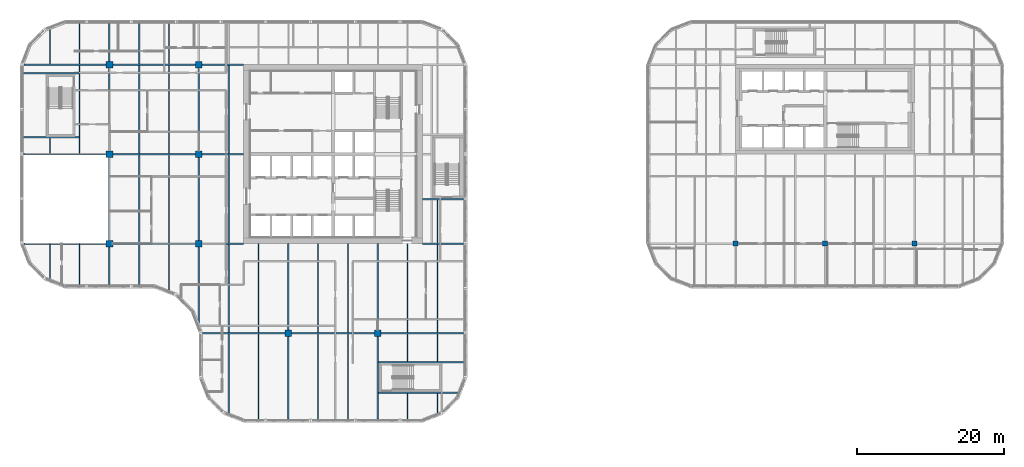
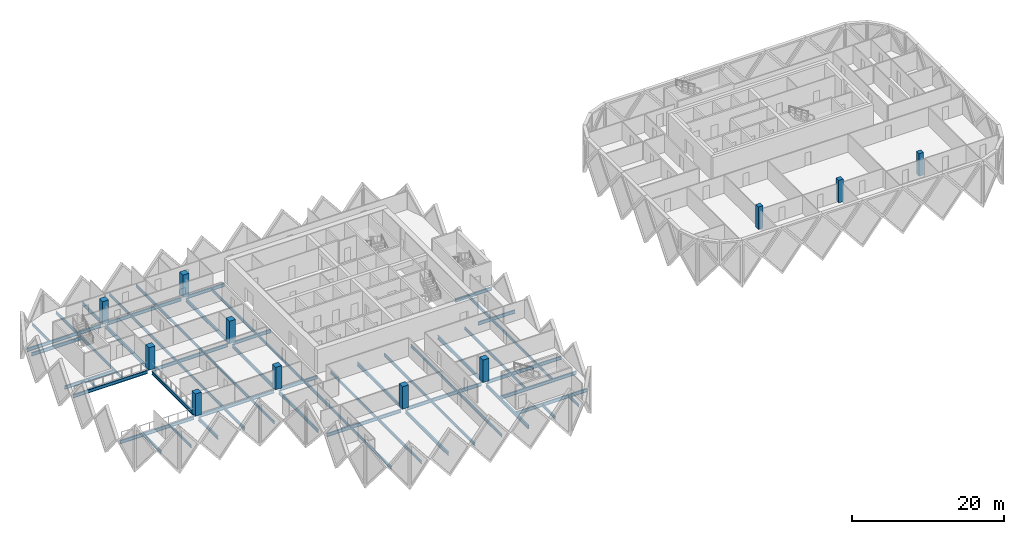
# One storey, part 1 of 21: 60 beams, 11 columns.
"""IFC4 building model written with IfcOpenShell, lengths in metres."""

from ifc_helpers import new_model, si_unit, direction, frame, origin, origin_2d, place, context, subcontext, project, spatial, rectangle, i_section, extrude, material, material_profile, profile_set, type_object, element, save


model = new_model("IFC4")

# Units and contexts
model_context = context("Model", 3, precision=1e-05, world=origin(), true_north=direction((0.0, 1.0)))
body_context = subcontext(model_context, "Body", "Model", "MODEL_VIEW")
ifc_project = project(units=[si_unit("LENGTHUNIT", "METRE"), si_unit("AREAUNIT", "SQUARE_METRE"), si_unit("VOLUMEUNIT", "CUBIC_METRE"), si_unit("PLANEANGLEUNIT", "RADIAN"), si_unit("MASSUNIT", "GRAM", prefix="KILO")], contexts=[model_context])

# Site, building, storey
site_placement = place(None, origin())
site = spatial("IfcSite", under=ifc_project, at=site_placement, CompositionType="ELEMENT")
building_placement = place(site_placement, origin())
building = spatial("IfcBuilding", under=site, at=building_placement, Name="Tessera Gate Towers", CompositionType="ELEMENT")
storey_placement = place(building_placement, frame((0.0, 0.0, 91.39990234375)))
storey = spatial("IfcBuildingStorey", under=building, at=storey_placement, Name="L22", CompositionType="ELEMENT", Elevation=91.39990234375)

# Columns
ifc_material_1 = material(Name="Concrete C70/85", Category="concrete")
ifc_material_profile_1 = material_profile(ifc_material_1, rectangle(XDim=0.699951171875, YDim=0.699951171875, at=origin_2d()), Name="RC 700x700")
ifc_profile_set_1 = profile_set([ifc_material_profile_1], Name="Concrete C70/85")
column_type_1 = type_object("IfcColumnType", Name="COLUMN RC 700x700", PredefinedType="COLUMN", material=ifc_profile_set_1)
for number, where, z_axis, x_axis, name in (
    (1, (97.60009765625, 24.39990234375, 0.0), (0.0, 0.0, 1.0), (1.0, 0.0, 0.0), "T2-COL-9C-L22"),
    (2, (109.800048828125, 24.39990234375, 0.0), (0.0, 0.0, 1.0), (1.0, 0.0, 0.0), "T2-COL-10C-L22"),
    (3, (122.0, 24.39990234375, 0.0), (0.0, 0.0, 1.0), (1.0, 0.0, 0.0), "T2-COL-11C-L22"),
):
    element("IfcColumn", number, at=place(storey_placement, frame(where, z_axis=z_axis, x_axis=x_axis)), inside=storey, type_object=column_type_1, Name=name, PredefinedType="COLUMN", context=body_context, shape_type="SweptSolid", body=[
        extrude(rectangle(XDim=0.699951171875, YDim=0.699951171875, at=origin_2d()), origin(), (0.0, 0.0, 1.0), 3.60009765625),
    ])
ifc_material_2 = material(Name="Concrete C70/85", Category="concrete")
ifc_material_profile_2 = material_profile(ifc_material_2, rectangle(XDim=0.89990234375, YDim=0.89990234375, at=origin_2d()), Name="RC 900x900")
ifc_profile_set_2 = profile_set([ifc_material_profile_2], Name="Concrete C70/85")
column_type_2 = type_object("IfcColumnType", Name="COLUMN RC 900x900", PredefinedType="COLUMN", material=ifc_profile_set_2)
for number, where, z_axis, x_axis, name in (
    (4, (12.199951171875, 24.39990234375, 0.0), (0.0, 0.0, 1.0), (1.0, 0.0, 0.0), "T1-COL-2C-L22"),
    (5, (12.199951171875, 36.60009765625, 0.0), (0.0, 0.0, 1.0), (1.0, 0.0, 0.0), "T1-COL-2D-L22"),
    (6, (12.199951171875, 48.800048828125, 0.0), (0.0, 0.0, 1.0), (1.0, 0.0, 0.0), "T1-COL-2E-L22"),
    (7, (24.39990234375, 24.39990234375, 0.0), (0.0, 0.0, 1.0), (1.0, 0.0, 0.0), "T1-COL-3C-L22"),
    (8, (24.39990234375, 36.60009765625, 0.0), (0.0, 0.0, 1.0), (1.0, 0.0, 0.0), "T1-COL-3D-L22"),
    (9, (24.39990234375, 48.800048828125, 0.0), (0.0, 0.0, 1.0), (1.0, 0.0, 0.0), "T1-COL-3E-L22"),
    (10, (36.60009765625, 12.199951171875, 0.0), (0.0, 0.0, 1.0), (1.0, 0.0, 0.0), "T1-COL-4B-L22"),
    (11, (48.800048828125, 12.199951171875, 0.0), (0.0, 0.0, 1.0), (1.0, 0.0, 0.0), "T1-COL-5B-L22"),
):
    element("IfcColumn", number, at=place(storey_placement, frame(where, z_axis=z_axis, x_axis=x_axis)), inside=storey, type_object=column_type_2, Name=name, PredefinedType="COLUMN", context=body_context, shape_type="SweptSolid", body=[
        extrude(rectangle(XDim=0.89990234375, YDim=0.89990234375, at=origin_2d()), origin(), (0.0, 0.0, 1.0), 3.60009765625),
    ])

# Beams
ifc_material_3 = material(Name="Steel 350W", Category="steel")
ifc_material_profile_3 = material_profile(ifc_material_3, i_section(OverallWidth=0.208984375, OverallDepth=0.532958984375, WebThickness=0.01025390625, FlangeThickness=0.015625, at=origin_2d()), Name="W530x92")
ifc_profile_set_3 = profile_set([ifc_material_profile_3], Name="Steel 350W")
beam_type_1 = type_object("IfcBeamType", Name="FLOOR GIRDER W530x92", PredefinedType="BEAM", material=ifc_profile_set_3)
beam_1_placement = place(storey_placement, frame((24.89892578125, 12.199951171875, -0.46630859375), z_axis=(1.0, 0.0, 0.0), x_axis=(0.0, 1.0, 0.0)))
element("IfcBeam", 12, at=beam_1_placement, inside=storey, type_object=beam_type_1, Name="T1-GD-L22-2939", PredefinedType="BEAM", context=body_context, shape_type="SweptSolid", body=[
    extrude(i_section(OverallWidth=0.208984375, OverallDepth=0.532958984375, WebThickness=0.01025390625, FlangeThickness=0.015625, at=origin_2d()), origin(), (0.0, 0.0, 1.0), 11.2509765625),
])
beam_2_placement = place(storey_placement, frame((37.050048828125, 12.199951171875, -0.46630859375), z_axis=(1.0, 0.0, 0.0), x_axis=(0.0, 1.0, 0.0)))
element("IfcBeam", 13, at=beam_2_placement, inside=storey, type_object=beam_type_1, Name="T1-GD-L22-2940", PredefinedType="BEAM", context=body_context, shape_type="SweptSolid", body=[
    extrude(i_section(OverallWidth=0.208984375, OverallDepth=0.532958984375, WebThickness=0.01025390625, FlangeThickness=0.015625, at=origin_2d()), origin(), (0.0, 0.0, 1.0), 11.300048828125),
])
beam_3_placement = place(storey_placement, frame((49.25, 12.199951171875, -0.46630859375), z_axis=(1.0, 0.0, 0.0), x_axis=(0.0, 1.0, 0.0)))
element("IfcBeam", 14, at=beam_3_placement, inside=storey, type_object=beam_type_1, Name="T1-GD-L22-2941", PredefinedType="BEAM", context=body_context, shape_type="SweptSolid", body=[
    extrude(i_section(OverallWidth=0.208984375, OverallDepth=0.532958984375, WebThickness=0.01025390625, FlangeThickness=0.015625, at=origin_2d()), origin(), (0.0, 0.0, 1.0), 11.2509765625),
])
beam_4_placement = place(storey_placement, frame((0.534912109375, 24.39990234375, -0.46630859375), z_axis=(1.0, 0.0, 0.0), x_axis=(0.0, 1.0, 0.0)))
element("IfcBeam", 15, at=beam_4_placement, inside=storey, type_object=beam_type_1, Name="T1-GD-L22-2942", PredefinedType="BEAM", context=body_context, shape_type="SweptSolid", body=[
    extrude(i_section(OverallWidth=0.208984375, OverallDepth=0.532958984375, WebThickness=0.01025390625, FlangeThickness=0.015625, at=origin_2d()), origin(), (0.0, 0.0, 1.0), 11.215087890625),
])
beam_5_placement = place(storey_placement, frame((12.64990234375, 24.39990234375, -0.46630859375), z_axis=(1.0, 0.0, 0.0), x_axis=(0.0, 1.0, 0.0)))
element("IfcBeam", 16, at=beam_5_placement, inside=storey, type_object=beam_type_1, Name="T1-GD-L22-2943", PredefinedType="BEAM", context=body_context, shape_type="SweptSolid", body=[
    extrude(i_section(OverallWidth=0.208984375, OverallDepth=0.532958984375, WebThickness=0.01025390625, FlangeThickness=0.015625, at=origin_2d()), origin(), (0.0, 0.0, 1.0), 11.300048828125),
])
beam_6_placement = place(storey_placement, frame((24.85009765625, 24.39990234375, -0.46630859375), z_axis=(1.0, 0.0, 0.0), x_axis=(0.0, 1.0, 0.0)))
element("IfcBeam", 17, at=beam_6_placement, inside=storey, type_object=beam_type_1, Name="T1-GD-L22-2944", PredefinedType="BEAM", context=body_context, shape_type="SweptSolid", body=[
    extrude(i_section(OverallWidth=0.208984375, OverallDepth=0.532958984375, WebThickness=0.01025390625, FlangeThickness=0.015625, at=origin_2d()), origin(), (0.0, 0.0, 1.0), 5.64892578125),
])
beam_7_placement = place(storey_placement, frame((54.90087890625, 24.39990234375, -0.46630859375), z_axis=(1.0, 0.0, 0.0), x_axis=(0.0, 1.0, 0.0)))
element("IfcBeam", 18, at=beam_7_placement, inside=storey, type_object=beam_type_1, Name="T1-GD-L22-2945", PredefinedType="BEAM", context=body_context, shape_type="SweptSolid", body=[
    extrude(i_section(OverallWidth=0.208984375, OverallDepth=0.532958984375, WebThickness=0.01025390625, FlangeThickness=0.015625, at=origin_2d()), origin(), (0.0, 0.0, 1.0), 5.60009765625),
])
beam_8_placement = place(storey_placement, frame((0.4990234375, 36.60009765625, -0.46630859375), z_axis=(1.0, 0.0, 0.0), x_axis=(0.0, 1.0, 0.0)))
element("IfcBeam", 19, at=beam_8_placement, inside=storey, type_object=beam_type_1, Name="T1-GD-L22-2946", PredefinedType="BEAM", context=body_context, shape_type="SweptSolid", body=[
    extrude(i_section(OverallWidth=0.208984375, OverallDepth=0.532958984375, WebThickness=0.01025390625, FlangeThickness=0.015625, at=origin_2d()), origin(), (0.0, 0.0, 1.0), 11.2509765625),
])
beam_9_placement = place(storey_placement, frame((12.64990234375, 36.60009765625, -0.46630859375), z_axis=(1.0, 0.0, 0.0), x_axis=(0.0, 1.0, 0.0)))
element("IfcBeam", 20, at=beam_9_placement, inside=storey, type_object=beam_type_1, Name="T1-GD-L22-2947", PredefinedType="BEAM", context=body_context, shape_type="SweptSolid", body=[
    extrude(i_section(OverallWidth=0.208984375, OverallDepth=0.532958984375, WebThickness=0.01025390625, FlangeThickness=0.015625, at=origin_2d()), origin(), (0.0, 0.0, 1.0), 11.300048828125),
])
beam_10_placement = place(storey_placement, frame((24.85009765625, 36.60009765625, -0.46630859375), z_axis=(1.0, 0.0, 0.0), x_axis=(0.0, 1.0, 0.0)))
element("IfcBeam", 21, at=beam_10_placement, inside=storey, type_object=beam_type_1, Name="T1-GD-L22-2948", PredefinedType="BEAM", context=body_context, shape_type="SweptSolid", body=[
    extrude(i_section(OverallWidth=0.208984375, OverallDepth=0.532958984375, WebThickness=0.01025390625, FlangeThickness=0.015625, at=origin_2d()), origin(), (0.0, 0.0, 1.0), 5.65087890625),
])
beam_11_placement = place(storey_placement, frame((0.534912109375, 48.800048828125, -0.46630859375), z_axis=(1.0, 0.0, 0.0), x_axis=(0.0, 1.0, 0.0)))
element("IfcBeam", 22, at=beam_11_placement, inside=storey, type_object=beam_type_1, Name="T1-GD-L22-2950", PredefinedType="BEAM", context=body_context, shape_type="SweptSolid", body=[
    extrude(i_section(OverallWidth=0.208984375, OverallDepth=0.532958984375, WebThickness=0.01025390625, FlangeThickness=0.015625, at=origin_2d()), origin(), (0.0, 0.0, 1.0), 11.215087890625),
])
beam_12_placement = place(storey_placement, frame((12.64990234375, 48.800048828125, -0.46630859375), z_axis=(1.0, 0.0, 0.0), x_axis=(0.0, 1.0, 0.0)))
element("IfcBeam", 23, at=beam_12_placement, inside=storey, type_object=beam_type_1, Name="T1-GD-L22-2951", PredefinedType="BEAM", context=body_context, shape_type="SweptSolid", body=[
    extrude(i_section(OverallWidth=0.208984375, OverallDepth=0.532958984375, WebThickness=0.01025390625, FlangeThickness=0.015625, at=origin_2d()), origin(), (0.0, 0.0, 1.0), 11.300048828125),
])
beam_13_placement = place(storey_placement, frame((24.85009765625, 48.800048828125, -0.46630859375), z_axis=(1.0, 0.0, 0.0), x_axis=(0.0, 1.0, 0.0)))
element("IfcBeam", 24, at=beam_13_placement, inside=storey, type_object=beam_type_1, Name="T1-GD-L22-2952", PredefinedType="BEAM", context=body_context, shape_type="SweptSolid", body=[
    extrude(i_section(OverallWidth=0.208984375, OverallDepth=0.532958984375, WebThickness=0.01025390625, FlangeThickness=0.015625, at=origin_2d()), origin(), (0.0, 0.0, 1.0), 5.64892578125),
])
beam_14_placement = place(storey_placement, frame((12.199951171875, 18.799072265625, -0.46630859375), z_axis=(0.0, 1.0, 0.0), x_axis=(-1.0, 0.0, 0.0)))
element("IfcBeam", 25, at=beam_14_placement, inside=storey, type_object=beam_type_1, Name="T1-GD-L22-2954", PredefinedType="BEAM", context=body_context, shape_type="SweptSolid", body=[
    extrude(i_section(OverallWidth=0.208984375, OverallDepth=0.532958984375, WebThickness=0.01025390625, FlangeThickness=0.015625, at=origin_2d()), origin(), (0.0, 0.0, 1.0), 5.15087890625),
])
beam_15_placement = place(storey_placement, frame((12.199951171875, 24.85009765625, -0.46630859375), z_axis=(0.0, 1.0, 0.0), x_axis=(-1.0, 0.0, 0.0)))
element("IfcBeam", 26, at=beam_15_placement, inside=storey, type_object=beam_type_1, Name="T1-GD-L22-2955", PredefinedType="BEAM", context=body_context, shape_type="SweptSolid", body=[
    extrude(i_section(OverallWidth=0.208984375, OverallDepth=0.532958984375, WebThickness=0.01025390625, FlangeThickness=0.015625, at=origin_2d()), origin(), (0.0, 0.0, 1.0), 11.2998046875),
])
beam_16_placement = place(storey_placement, frame((12.199951171875, 37.050048828125, -0.46630859375), z_axis=(0.0, 1.0, 0.0), x_axis=(-1.0, 0.0, 0.0)))
element("IfcBeam", 27, at=beam_16_placement, inside=storey, type_object=beam_type_1, Name="T1-GD-L22-2956", PredefinedType="BEAM", context=body_context, shape_type="SweptSolid", body=[
    extrude(i_section(OverallWidth=0.208984375, OverallDepth=0.532958984375, WebThickness=0.01025390625, FlangeThickness=0.015625, at=origin_2d()), origin(), (0.0, 0.0, 1.0), 11.300048828125),
])
beam_17_placement = place(storey_placement, frame((12.199951171875, 49.25, -0.46630859375), z_axis=(0.0, 1.0, 0.0), x_axis=(-1.0, 0.0, 0.0)))
element("IfcBeam", 28, at=beam_17_placement, inside=storey, type_object=beam_type_1, Name="T1-GD-L22-2957", PredefinedType="BEAM", context=body_context, shape_type="SweptSolid", body=[
    extrude(i_section(OverallWidth=0.208984375, OverallDepth=0.532958984375, WebThickness=0.01025390625, FlangeThickness=0.015625, at=origin_2d()), origin(), (0.0, 0.0, 1.0), 5.15087890625),
])
beam_18_placement = place(storey_placement, frame((24.39990234375, 13.58642578125, -0.46630859375), z_axis=(0.0, 1.0, 0.0), x_axis=(-1.0, 0.0, 0.0)))
element("IfcBeam", 29, at=beam_18_placement, inside=storey, type_object=beam_type_1, Name="T1-GD-L22-2958", PredefinedType="BEAM", context=body_context, shape_type="SweptSolid", body=[
    extrude(i_section(OverallWidth=0.208984375, OverallDepth=0.532958984375, WebThickness=0.01025390625, FlangeThickness=0.015625, at=origin_2d()), origin(), (0.0, 0.0, 1.0), 10.363525390625),
])
beam_19_placement = place(storey_placement, frame((24.39990234375, 24.85009765625, -0.46630859375), z_axis=(0.0, 1.0, 0.0), x_axis=(-1.0, 0.0, 0.0)))
element("IfcBeam", 30, at=beam_19_placement, inside=storey, type_object=beam_type_1, Name="T1-GD-L22-2959", PredefinedType="BEAM", context=body_context, shape_type="SweptSolid", body=[
    extrude(i_section(OverallWidth=0.208984375, OverallDepth=0.532958984375, WebThickness=0.01025390625, FlangeThickness=0.015625, at=origin_2d()), origin(), (0.0, 0.0, 1.0), 11.2998046875),
])
beam_20_placement = place(storey_placement, frame((24.39990234375, 37.050048828125, -0.46630859375), z_axis=(0.0, 1.0, 0.0), x_axis=(-1.0, 0.0, 0.0)))
element("IfcBeam", 31, at=beam_20_placement, inside=storey, type_object=beam_type_1, Name="T1-GD-L22-2960", PredefinedType="BEAM", context=body_context, shape_type="SweptSolid", body=[
    extrude(i_section(OverallWidth=0.208984375, OverallDepth=0.532958984375, WebThickness=0.01025390625, FlangeThickness=0.015625, at=origin_2d()), origin(), (0.0, 0.0, 1.0), 11.300048828125),
])
beam_21_placement = place(storey_placement, frame((36.60009765625, 0.4990234375, -0.46630859375), z_axis=(0.0, 1.0, 0.0), x_axis=(-1.0, 0.0, 0.0)))
element("IfcBeam", 32, at=beam_21_placement, inside=storey, type_object=beam_type_1, Name="T1-GD-L22-2962", PredefinedType="BEAM", context=body_context, shape_type="SweptSolid", body=[
    extrude(i_section(OverallWidth=0.208984375, OverallDepth=0.532958984375, WebThickness=0.01025390625, FlangeThickness=0.015625, at=origin_2d()), origin(), (0.0, 0.0, 1.0), 11.2509765625),
])
beam_22_placement = place(storey_placement, frame((36.60009765625, 12.64990234375, -0.46630859375), z_axis=(0.0, 1.0, 0.0), x_axis=(-1.0, 0.0, 0.0)))
element("IfcBeam", 33, at=beam_22_placement, inside=storey, type_object=beam_type_1, Name="T1-GD-L22-2963", PredefinedType="BEAM", context=body_context, shape_type="SweptSolid", body=[
    extrude(i_section(OverallWidth=0.208984375, OverallDepth=0.532958984375, WebThickness=0.01025390625, FlangeThickness=0.015625, at=origin_2d()), origin(), (0.0, 0.0, 1.0), 11.75),
])
beam_23_placement = place(storey_placement, frame((48.800048828125, 0.4990234375, -0.46630859375), z_axis=(0.0, 1.0, 0.0), x_axis=(-1.0, 0.0, 0.0)))
element("IfcBeam", 34, at=beam_23_placement, inside=storey, type_object=beam_type_1, Name="T1-GD-L22-2964", PredefinedType="BEAM", context=body_context, shape_type="SweptSolid", body=[
    extrude(i_section(OverallWidth=0.208984375, OverallDepth=0.532958984375, WebThickness=0.01025390625, FlangeThickness=0.015625, at=origin_2d()), origin(), (0.0, 0.0, 1.0), 11.2509765625),
])
beam_24_placement = place(storey_placement, frame((48.800048828125, 12.64990234375, -0.46630859375), z_axis=(0.0, 1.0, 0.0), x_axis=(-1.0, 0.0, 0.0)))
element("IfcBeam", 35, at=beam_24_placement, inside=storey, type_object=beam_type_1, Name="T1-GD-L22-2965", PredefinedType="BEAM", context=body_context, shape_type="SweptSolid", body=[
    extrude(i_section(OverallWidth=0.208984375, OverallDepth=0.532958984375, WebThickness=0.01025390625, FlangeThickness=0.015625, at=origin_2d()), origin(), (0.0, 0.0, 1.0), 11.75),
])
for number, where, z_axis, x_axis, name in (
    (36, (0.4990234375, 38.8798828125, -0.46630859375), (1.0, 0.0, 0.0), (0.0, 1.0, 0.0), "T1-GD-L22-2966"),
    (37, (0.4990234375, 47.6201171875, -0.46630859375), (1.0, 0.0, 0.0), (0.0, 1.0, 0.0), "T1-GD-L22-2967"),
):
    element("IfcBeam", number, at=place(storey_placement, frame(where, z_axis=z_axis, x_axis=x_axis)), inside=storey, type_object=beam_type_1, Name=name, PredefinedType="BEAM", context=body_context, shape_type="SweptSolid", body=[
        extrude(i_section(OverallWidth=0.208984375, OverallDepth=0.532958984375, WebThickness=0.01025390625, FlangeThickness=0.015625, at=origin_2d()), origin(), (0.0, 0.0, 1.0), 7.557861328125),
    ])
beam_25_placement = place(storey_placement, frame((48.87646484375, 4.080078125, -0.46630859375), z_axis=(1.0, 0.0, 0.0), x_axis=(0.0, 1.0, 0.0)))
element("IfcBeam", 38, at=beam_25_placement, inside=storey, type_object=beam_type_1, Name="T1-GD-L22-2968", PredefinedType="BEAM", context=body_context, shape_type="SweptSolid", body=[
    extrude(i_section(OverallWidth=0.208984375, OverallDepth=0.532958984375, WebThickness=0.01025390625, FlangeThickness=0.015625, at=origin_2d()), origin(), (0.0, 0.0, 1.0), 10.809326171875),
])
beam_26_placement = place(storey_placement, frame((48.87646484375, 8.219970703125, -0.46630859375), z_axis=(1.0, 0.0, 0.0), x_axis=(0.0, 1.0, 0.0)))
element("IfcBeam", 39, at=beam_26_placement, inside=storey, type_object=beam_type_1, Name="T1-GD-L22-2969", PredefinedType="BEAM", context=body_context, shape_type="SweptSolid", body=[
    extrude(i_section(OverallWidth=0.208984375, OverallDepth=0.532958984375, WebThickness=0.01025390625, FlangeThickness=0.015625, at=origin_2d()), origin(), (0.0, 0.0, 1.0), 11.62451171875),
])
beam_27_placement = place(storey_placement, frame((54.89892578125, 30.47998046875, -0.46630859375), z_axis=(1.0, 0.0, 0.0), x_axis=(0.0, 1.0, 0.0)))
element("IfcBeam", 40, at=beam_27_placement, inside=storey, type_object=beam_type_1, Name="T1-GD-L22-2970", PredefinedType="BEAM", context=body_context, shape_type="SweptSolid", body=[
    extrude(i_section(OverallWidth=0.208984375, OverallDepth=0.532958984375, WebThickness=0.01025390625, FlangeThickness=0.015625, at=origin_2d()), origin(), (0.0, 0.0, 1.0), 5.60205078125),
])
ifc_material_4 = material(Name="Steel 350W", Category="steel")
ifc_material_profile_4 = material_profile(ifc_material_4, i_section(OverallWidth=0.153076171875, OverallDepth=0.455078125, WebThickness=0.008056640625, FlangeThickness=0.01318359375, at=origin_2d()), Name="W460x60")
ifc_profile_set_4 = profile_set([ifc_material_profile_4], Name="Steel 350W")
beam_type_2 = type_object("IfcBeamType", Name="FLOOR SECONDARY W460x60", PredefinedType="BEAM", material=ifc_profile_set_4)
beam_28_placement = place(storey_placement, frame((4.066650390625, 19.620361328125, -0.427490234375), z_axis=(0.0, 1.0, 0.0), x_axis=(-1.0, 0.0, 0.0)))
element("IfcBeam", 41, at=beam_28_placement, inside=storey, type_object=beam_type_2, Name="T1-BM-L22-2973", PredefinedType="BEAM", context=body_context, shape_type="SweptSolid", body=[
    extrude(i_section(OverallWidth=0.153076171875, OverallDepth=0.455078125, WebThickness=0.008056640625, FlangeThickness=0.01318359375, at=origin_2d()), origin(), (0.0, 0.0, 1.0), 4.779541015625),
])
beam_29_placement = place(storey_placement, frame((4.066650390625, 36.70458984375, -0.427490234375), z_axis=(0.0, 1.0, 0.0), x_axis=(-1.0, 0.0, 0.0)))
element("IfcBeam", 42, at=beam_29_placement, inside=storey, type_object=beam_type_2, Name="T1-BM-L22-2974", PredefinedType="BEAM", context=body_context, shape_type="SweptSolid", body=[
    extrude(i_section(OverallWidth=0.153076171875, OverallDepth=0.455078125, WebThickness=0.008056640625, FlangeThickness=0.01318359375, at=origin_2d()), origin(), (0.0, 0.0, 1.0), 2.07080078125),
])
beam_30_placement = place(storey_placement, frame((4.066650390625, 48.904541015625, -0.427490234375), z_axis=(0.0, 1.0, 0.0), x_axis=(-1.0, 0.0, 0.0)))
element("IfcBeam", 43, at=beam_30_placement, inside=storey, type_object=beam_type_2, Name="T1-BM-L22-2975", PredefinedType="BEAM", context=body_context, shape_type="SweptSolid", body=[
    extrude(i_section(OverallWidth=0.153076171875, OverallDepth=0.455078125, WebThickness=0.008056640625, FlangeThickness=0.01318359375, at=origin_2d()), origin(), (0.0, 0.0, 1.0), 4.675048828125),
])
beam_31_placement = place(storey_placement, frame((8.13330078125, 18.800048828125, -0.427490234375), z_axis=(0.0, 1.0, 0.0), x_axis=(-1.0, 0.0, 0.0)))
element("IfcBeam", 44, at=beam_31_placement, inside=storey, type_object=beam_type_2, Name="T1-BM-L22-2976", PredefinedType="BEAM", context=body_context, shape_type="SweptSolid", body=[
    extrude(i_section(OverallWidth=0.153076171875, OverallDepth=0.455078125, WebThickness=0.008056640625, FlangeThickness=0.01318359375, at=origin_2d()), origin(), (0.0, 0.0, 1.0), 5.599853515625),
])
beam_32_placement = place(storey_placement, frame((8.13330078125, 36.70458984375, -0.427490234375), z_axis=(0.0, 1.0, 0.0), x_axis=(-1.0, 0.0, 0.0)))
element("IfcBeam", 45, at=beam_32_placement, inside=storey, type_object=beam_type_2, Name="T1-BM-L22-2977", PredefinedType="BEAM", context=body_context, shape_type="SweptSolid", body=[
    extrude(i_section(OverallWidth=0.153076171875, OverallDepth=0.455078125, WebThickness=0.008056640625, FlangeThickness=0.01318359375, at=origin_2d()), origin(), (0.0, 0.0, 1.0), 11.990966796875),
])
for number, where, z_axis, x_axis, name in (
    (46, (8.13330078125, 48.904541015625, -0.427490234375), (0.0, 1.0, 0.0), (-1.0, 0.0, 0.0), "T1-BM-L22-2978"),
    (47, (16.2666015625, 18.800048828125, -0.427490234375), (0.0, 1.0, 0.0), (-1.0, 0.0, 0.0), "T1-BM-L22-2979"),
):
    element("IfcBeam", number, at=place(storey_placement, frame(where, z_axis=z_axis, x_axis=x_axis)), inside=storey, type_object=beam_type_2, Name=name, PredefinedType="BEAM", context=body_context, shape_type="SweptSolid", body=[
        extrude(i_section(OverallWidth=0.153076171875, OverallDepth=0.455078125, WebThickness=0.008056640625, FlangeThickness=0.01318359375, at=origin_2d()), origin(), (0.0, 0.0, 1.0), 5.495361328125),
    ])
beam_33_placement = place(storey_placement, frame((16.2666015625, 24.50439453125, -0.427490234375), z_axis=(0.0, 1.0, 0.0), x_axis=(-1.0, 0.0, 0.0)))
element("IfcBeam", 48, at=beam_33_placement, inside=storey, type_object=beam_type_2, Name="T1-BM-L22-2980", PredefinedType="BEAM", context=body_context, shape_type="SweptSolid", body=[
    extrude(i_section(OverallWidth=0.153076171875, OverallDepth=0.455078125, WebThickness=0.008056640625, FlangeThickness=0.01318359375, at=origin_2d()), origin(), (0.0, 0.0, 1.0), 11.9912109375),
])
beam_34_placement = place(storey_placement, frame((16.2666015625, 36.70458984375, -0.427490234375), z_axis=(0.0, 1.0, 0.0), x_axis=(-1.0, 0.0, 0.0)))
element("IfcBeam", 49, at=beam_34_placement, inside=storey, type_object=beam_type_2, Name="T1-BM-L22-2981", PredefinedType="BEAM", context=body_context, shape_type="SweptSolid", body=[
    extrude(i_section(OverallWidth=0.153076171875, OverallDepth=0.455078125, WebThickness=0.008056640625, FlangeThickness=0.01318359375, at=origin_2d()), origin(), (0.0, 0.0, 1.0), 11.990966796875),
])
beam_35_placement = place(storey_placement, frame((16.2666015625, 48.904541015625, -0.427490234375), z_axis=(0.0, 1.0, 0.0), x_axis=(-1.0, 0.0, 0.0)))
element("IfcBeam", 50, at=beam_35_placement, inside=storey, type_object=beam_type_2, Name="T1-BM-L22-2982", PredefinedType="BEAM", context=body_context, shape_type="SweptSolid", body=[
    extrude(i_section(OverallWidth=0.153076171875, OverallDepth=0.455078125, WebThickness=0.008056640625, FlangeThickness=0.01318359375, at=origin_2d()), origin(), (0.0, 0.0, 1.0), 5.495361328125),
])
beam_36_placement = place(storey_placement, frame((20.333251953125, 18.051513671875, -0.427490234375), z_axis=(0.0, 1.0, 0.0), x_axis=(-1.0, 0.0, 0.0)))
element("IfcBeam", 51, at=beam_36_placement, inside=storey, type_object=beam_type_2, Name="T1-BM-L22-2983", PredefinedType="BEAM", context=body_context, shape_type="SweptSolid", body=[
    extrude(i_section(OverallWidth=0.153076171875, OverallDepth=0.455078125, WebThickness=0.008056640625, FlangeThickness=0.01318359375, at=origin_2d()), origin(), (0.0, 0.0, 1.0), 6.243896484375),
])
beam_37_placement = place(storey_placement, frame((20.333251953125, 24.50439453125, -0.427490234375), z_axis=(0.0, 1.0, 0.0), x_axis=(-1.0, 0.0, 0.0)))
element("IfcBeam", 52, at=beam_37_placement, inside=storey, type_object=beam_type_2, Name="T1-BM-L22-2984", PredefinedType="BEAM", context=body_context, shape_type="SweptSolid", body=[
    extrude(i_section(OverallWidth=0.153076171875, OverallDepth=0.455078125, WebThickness=0.008056640625, FlangeThickness=0.01318359375, at=origin_2d()), origin(), (0.0, 0.0, 1.0), 11.9912109375),
])
beam_38_placement = place(storey_placement, frame((20.333251953125, 36.70458984375, -0.427490234375), z_axis=(0.0, 1.0, 0.0), x_axis=(-1.0, 0.0, 0.0)))
element("IfcBeam", 53, at=beam_38_placement, inside=storey, type_object=beam_type_2, Name="T1-BM-L22-2985", PredefinedType="BEAM", context=body_context, shape_type="SweptSolid", body=[
    extrude(i_section(OverallWidth=0.153076171875, OverallDepth=0.455078125, WebThickness=0.008056640625, FlangeThickness=0.01318359375, at=origin_2d()), origin(), (0.0, 0.0, 1.0), 11.990966796875),
])
beam_39_placement = place(storey_placement, frame((20.333251953125, 48.904541015625, -0.427490234375), z_axis=(0.0, 1.0, 0.0), x_axis=(-1.0, 0.0, 0.0)))
element("IfcBeam", 54, at=beam_39_placement, inside=storey, type_object=beam_type_2, Name="T1-BM-L22-2986", PredefinedType="BEAM", context=body_context, shape_type="SweptSolid", body=[
    extrude(i_section(OverallWidth=0.153076171875, OverallDepth=0.455078125, WebThickness=0.008056640625, FlangeThickness=0.01318359375, at=origin_2d()), origin(), (0.0, 0.0, 1.0), 5.495361328125),
])
beam_40_placement = place(storey_placement, frame((28.466796875, 1.3203125, -0.427490234375), z_axis=(0.0, 1.0, 0.0), x_axis=(-1.0, 0.0, 0.0)))
element("IfcBeam", 55, at=beam_40_placement, inside=storey, type_object=beam_type_2, Name="T1-BM-L22-2987", PredefinedType="BEAM", context=body_context, shape_type="SweptSolid", body=[
    extrude(i_section(OverallWidth=0.153076171875, OverallDepth=0.455078125, WebThickness=0.008056640625, FlangeThickness=0.01318359375, at=origin_2d()), origin(), (0.0, 0.0, 1.0), 10.775146484375),
])
beam_41_placement = place(storey_placement, frame((28.466796875, 12.304443359375, -0.427490234375), z_axis=(0.0, 1.0, 0.0), x_axis=(-1.0, 0.0, 0.0)))
element("IfcBeam", 56, at=beam_41_placement, inside=storey, type_object=beam_type_2, Name="T1-BM-L22-2988", PredefinedType="BEAM", context=body_context, shape_type="SweptSolid", body=[
    extrude(i_section(OverallWidth=0.153076171875, OverallDepth=0.455078125, WebThickness=0.008056640625, FlangeThickness=0.01318359375, at=origin_2d()), origin(), (0.0, 0.0, 1.0), 11.990966796875),
])
beam_42_placement = place(storey_placement, frame((28.466796875, 24.50439453125, -0.427490234375), z_axis=(0.0, 1.0, 0.0), x_axis=(-1.0, 0.0, 0.0)))
element("IfcBeam", 57, at=beam_42_placement, inside=storey, type_object=beam_type_2, Name="T1-BM-L22-2989", PredefinedType="BEAM", context=body_context, shape_type="SweptSolid", body=[
    extrude(i_section(OverallWidth=0.153076171875, OverallDepth=0.455078125, WebThickness=0.008056640625, FlangeThickness=0.01318359375, at=origin_2d()), origin(), (0.0, 0.0, 1.0), 11.9912109375),
])
beam_43_placement = place(storey_placement, frame((28.466796875, 36.70458984375, -0.427490234375), z_axis=(0.0, 1.0, 0.0), x_axis=(-1.0, 0.0, 0.0)))
element("IfcBeam", 58, at=beam_43_placement, inside=storey, type_object=beam_type_2, Name="T1-BM-L22-2990", PredefinedType="BEAM", context=body_context, shape_type="SweptSolid", body=[
    extrude(i_section(OverallWidth=0.153076171875, OverallDepth=0.455078125, WebThickness=0.008056640625, FlangeThickness=0.01318359375, at=origin_2d()), origin(), (0.0, 0.0, 1.0), 11.990966796875),
])
beam_44_placement = place(storey_placement, frame((32.533203125, 0.5, -0.427490234375), z_axis=(0.0, 1.0, 0.0), x_axis=(-1.0, 0.0, 0.0)))
element("IfcBeam", 59, at=beam_44_placement, inside=storey, type_object=beam_type_2, Name="T1-BM-L22-2992", PredefinedType="BEAM", context=body_context, shape_type="SweptSolid", body=[
    extrude(i_section(OverallWidth=0.153076171875, OverallDepth=0.455078125, WebThickness=0.008056640625, FlangeThickness=0.01318359375, at=origin_2d()), origin(), (0.0, 0.0, 1.0), 11.595458984375),
])
beam_45_placement = place(storey_placement, frame((32.533203125, 12.304443359375, -0.427490234375), z_axis=(0.0, 1.0, 0.0), x_axis=(-1.0, 0.0, 0.0)))
element("IfcBeam", 60, at=beam_45_placement, inside=storey, type_object=beam_type_2, Name="T1-BM-L22-2993", PredefinedType="BEAM", context=body_context, shape_type="SweptSolid", body=[
    extrude(i_section(OverallWidth=0.153076171875, OverallDepth=0.455078125, WebThickness=0.008056640625, FlangeThickness=0.01318359375, at=origin_2d()), origin(), (0.0, 0.0, 1.0), 12.095458984375),
])
beam_46_placement = place(storey_placement, frame((40.666748046875, 0.5, -0.427490234375), z_axis=(0.0, 1.0, 0.0), x_axis=(-1.0, 0.0, 0.0)))
element("IfcBeam", 61, at=beam_46_placement, inside=storey, type_object=beam_type_2, Name="T1-BM-L22-2996", PredefinedType="BEAM", context=body_context, shape_type="SweptSolid", body=[
    extrude(i_section(OverallWidth=0.153076171875, OverallDepth=0.455078125, WebThickness=0.008056640625, FlangeThickness=0.01318359375, at=origin_2d()), origin(), (0.0, 0.0, 1.0), 11.595458984375),
])
beam_47_placement = place(storey_placement, frame((40.666748046875, 12.304443359375, -0.427490234375), z_axis=(0.0, 1.0, 0.0), x_axis=(-1.0, 0.0, 0.0)))
element("IfcBeam", 62, at=beam_47_placement, inside=storey, type_object=beam_type_2, Name="T1-BM-L22-2997", PredefinedType="BEAM", context=body_context, shape_type="SweptSolid", body=[
    extrude(i_section(OverallWidth=0.153076171875, OverallDepth=0.455078125, WebThickness=0.008056640625, FlangeThickness=0.01318359375, at=origin_2d()), origin(), (0.0, 0.0, 1.0), 12.095458984375),
])
beam_48_placement = place(storey_placement, frame((44.7333984375, 0.5, -0.427490234375), z_axis=(0.0, 1.0, 0.0), x_axis=(-1.0, 0.0, 0.0)))
element("IfcBeam", 63, at=beam_48_placement, inside=storey, type_object=beam_type_2, Name="T1-BM-L22-2999", PredefinedType="BEAM", context=body_context, shape_type="SweptSolid", body=[
    extrude(i_section(OverallWidth=0.153076171875, OverallDepth=0.455078125, WebThickness=0.008056640625, FlangeThickness=0.01318359375, at=origin_2d()), origin(), (0.0, 0.0, 1.0), 11.595458984375),
])
beam_49_placement = place(storey_placement, frame((44.7333984375, 12.304443359375, -0.427490234375), z_axis=(0.0, 1.0, 0.0), x_axis=(-1.0, 0.0, 0.0)))
element("IfcBeam", 64, at=beam_49_placement, inside=storey, type_object=beam_type_2, Name="T1-BM-L22-3000", PredefinedType="BEAM", context=body_context, shape_type="SweptSolid", body=[
    extrude(i_section(OverallWidth=0.153076171875, OverallDepth=0.455078125, WebThickness=0.008056640625, FlangeThickness=0.01318359375, at=origin_2d()), origin(), (0.0, 0.0, 1.0), 12.095458984375),
])
beam_50_placement = place(storey_placement, frame((52.86669921875, 0.5, -0.427490234375), z_axis=(0.0, 1.0, 0.0), x_axis=(-1.0, 0.0, 0.0)))
element("IfcBeam", 65, at=beam_50_placement, inside=storey, type_object=beam_type_2, Name="T1-BM-L22-3003", PredefinedType="BEAM", context=body_context, shape_type="SweptSolid", body=[
    extrude(i_section(OverallWidth=0.153076171875, OverallDepth=0.455078125, WebThickness=0.008056640625, FlangeThickness=0.01318359375, at=origin_2d()), origin(), (0.0, 0.0, 1.0), 3.4755859375),
])
beam_51_placement = place(storey_placement, frame((52.86669921875, 8.324462890625, -0.427490234375), z_axis=(0.0, 1.0, 0.0), x_axis=(-1.0, 0.0, 0.0)))
element("IfcBeam", 66, at=beam_51_placement, inside=storey, type_object=beam_type_2, Name="T1-BM-L22-3004", PredefinedType="BEAM", context=body_context, shape_type="SweptSolid", body=[
    extrude(i_section(OverallWidth=0.153076171875, OverallDepth=0.455078125, WebThickness=0.008056640625, FlangeThickness=0.01318359375, at=origin_2d()), origin(), (0.0, 0.0, 1.0), 3.77099609375),
])
beam_52_placement = place(storey_placement, frame((52.86669921875, 12.304443359375, -0.427490234375), z_axis=(0.0, 1.0, 0.0), x_axis=(-1.0, 0.0, 0.0)))
element("IfcBeam", 67, at=beam_52_placement, inside=storey, type_object=beam_type_2, Name="T1-BM-L22-3005", PredefinedType="BEAM", context=body_context, shape_type="SweptSolid", body=[
    extrude(i_section(OverallWidth=0.153076171875, OverallDepth=0.455078125, WebThickness=0.008056640625, FlangeThickness=0.01318359375, at=origin_2d()), origin(), (0.0, 0.0, 1.0), 12.095458984375),
])
beam_53_placement = place(storey_placement, frame((56.933349609375, 1.3203125, -0.427490234375), z_axis=(0.0, 1.0, 0.0), x_axis=(-1.0, 0.0, 0.0)))
element("IfcBeam", 68, at=beam_53_placement, inside=storey, type_object=beam_type_2, Name="T1-BM-L22-3007", PredefinedType="BEAM", context=body_context, shape_type="SweptSolid", body=[
    extrude(i_section(OverallWidth=0.153076171875, OverallDepth=0.455078125, WebThickness=0.008056640625, FlangeThickness=0.01318359375, at=origin_2d()), origin(), (0.0, 0.0, 1.0), 2.6552734375),
])
beam_54_placement = place(storey_placement, frame((56.933349609375, 8.324462890625, -0.427490234375), z_axis=(0.0, 1.0, 0.0), x_axis=(-1.0, 0.0, 0.0)))
element("IfcBeam", 69, at=beam_54_placement, inside=storey, type_object=beam_type_2, Name="T1-BM-L22-3008", PredefinedType="BEAM", context=body_context, shape_type="SweptSolid", body=[
    extrude(i_section(OverallWidth=0.153076171875, OverallDepth=0.455078125, WebThickness=0.008056640625, FlangeThickness=0.01318359375, at=origin_2d()), origin(), (0.0, 0.0, 1.0), 3.77099609375),
])
beam_55_placement = place(storey_placement, frame((56.933349609375, 12.304443359375, -0.427490234375), z_axis=(0.0, 1.0, 0.0), x_axis=(-1.0, 0.0, 0.0)))
element("IfcBeam", 70, at=beam_55_placement, inside=storey, type_object=beam_type_2, Name="T1-BM-L22-3009", PredefinedType="BEAM", context=body_context, shape_type="SweptSolid", body=[
    extrude(i_section(OverallWidth=0.153076171875, OverallDepth=0.455078125, WebThickness=0.008056640625, FlangeThickness=0.01318359375, at=origin_2d()), origin(), (0.0, 0.0, 1.0), 11.990966796875),
])
beam_56_placement = place(storey_placement, frame((56.933349609375, 24.50439453125, -0.427490234375), z_axis=(0.0, 1.0, 0.0), x_axis=(-1.0, 0.0, 0.0)))
element("IfcBeam", 71, at=beam_56_placement, inside=storey, type_object=beam_type_2, Name="T1-BM-L22-3010", PredefinedType="BEAM", context=body_context, shape_type="SweptSolid", body=[
    extrude(i_section(OverallWidth=0.153076171875, OverallDepth=0.455078125, WebThickness=0.008056640625, FlangeThickness=0.01318359375, at=origin_2d()), origin(), (0.0, 0.0, 1.0), 5.87109375),
])

save(model, "model.ifc")
